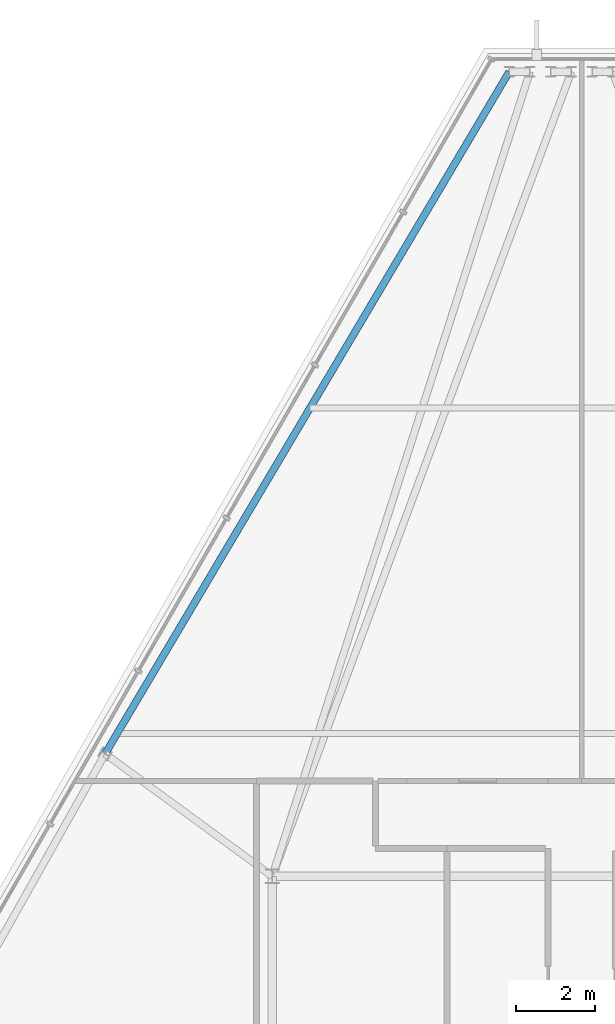
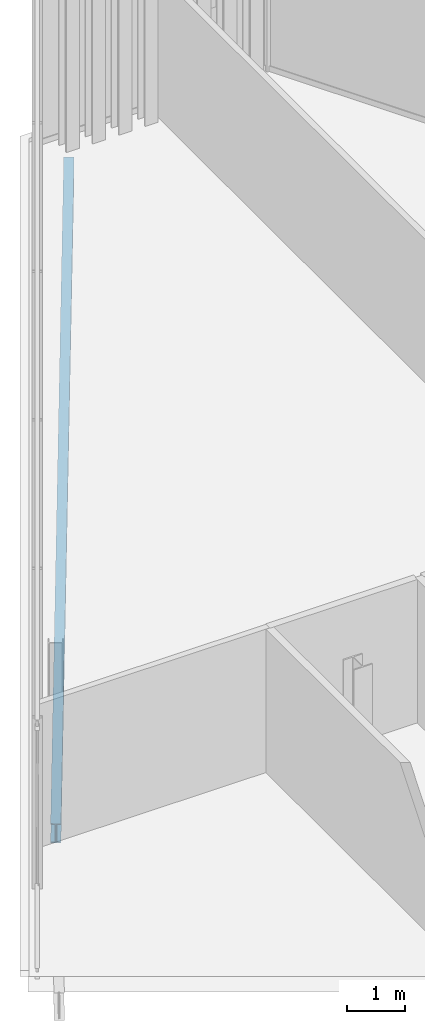
# One storey, part 14 of 32: 1 beam.
"""IFC4 building model written with IfcOpenShell, lengths in metres."""

from ifc_helpers import new_model, si_unit, direction, frame, origin, origin_2d, place, context, subcontext, project, spatial, i_section, extrude, material, material_profile, profile_set, type_object, element, save


model = new_model("IFC4")

# Units and contexts
model_context = context("Model", 3, precision=1e-05, world=origin(), true_north=direction((0.0, 1.0)))
body_context = subcontext(model_context, "Body", "Model", "MODEL_VIEW")
ifc_project = project(units=[si_unit("LENGTHUNIT", "METRE"), si_unit("AREAUNIT", "SQUARE_METRE"), si_unit("VOLUMEUNIT", "CUBIC_METRE"), si_unit("PLANEANGLEUNIT", "RADIAN"), si_unit("MASSUNIT", "GRAM", prefix="KILO")], contexts=[model_context])

# Site, building, storey
site_placement = place(None, origin())
site = spatial("IfcSite", under=ifc_project, at=site_placement, CompositionType="ELEMENT")
building_placement = place(site_placement, origin())
building = spatial("IfcBuilding", under=site, at=building_placement, Name="Ndaravel Arena Tower", CompositionType="ELEMENT")
storey_placement = place(building_placement, frame((0.0, 0.0, 283.300048828125)))
storey = spatial("IfcBuildingStorey", under=building, at=storey_placement, Name="L69", CompositionType="ELEMENT", Elevation=283.300048828125)

# Beam
ifc_material = material(Name="Steel S355", Category="steel")
ifc_material_profile = material_profile(ifc_material, i_section(OverallWidth=0.179931640625, OverallDepth=0.39990234375, WebThickness=0.008544921875, FlangeThickness=0.013427734375, FilletRadius=0.02099609375, at=origin_2d()), Name="IPE 400")
ifc_profile_set = profile_set([ifc_material_profile], Name="Steel S355")
beam_type = type_object("IfcBeamType", Name="BM-SPAN-IPE400", PredefinedType="SPANDREL", material=ifc_profile_set)
beam_placement = place(storey_placement, frame((40.17333984375, 43.477783203125, -0.420166015625), z_axis=(-0.509758851442, -0.860317332952, 0.0), x_axis=(0.860317332952, -0.509758851442, 0.0)))
element("IfcBeam", 1, at=beam_placement, inside=storey, type_object=beam_type, Name="L69 Perimeter Spandrel Beam SP-18", PredefinedType="SPANDREL", context=body_context, shape_type="SweptSolid", body=[
    extrude(i_section(OverallWidth=0.179931640625, OverallDepth=0.39990234375, WebThickness=0.008544921875, FlangeThickness=0.013427734375, FilletRadius=0.02099609375, at=origin_2d()), origin(), (0.0, 0.0, 1.0), 19.982177734375),
])

save(model, "model.ifc")
